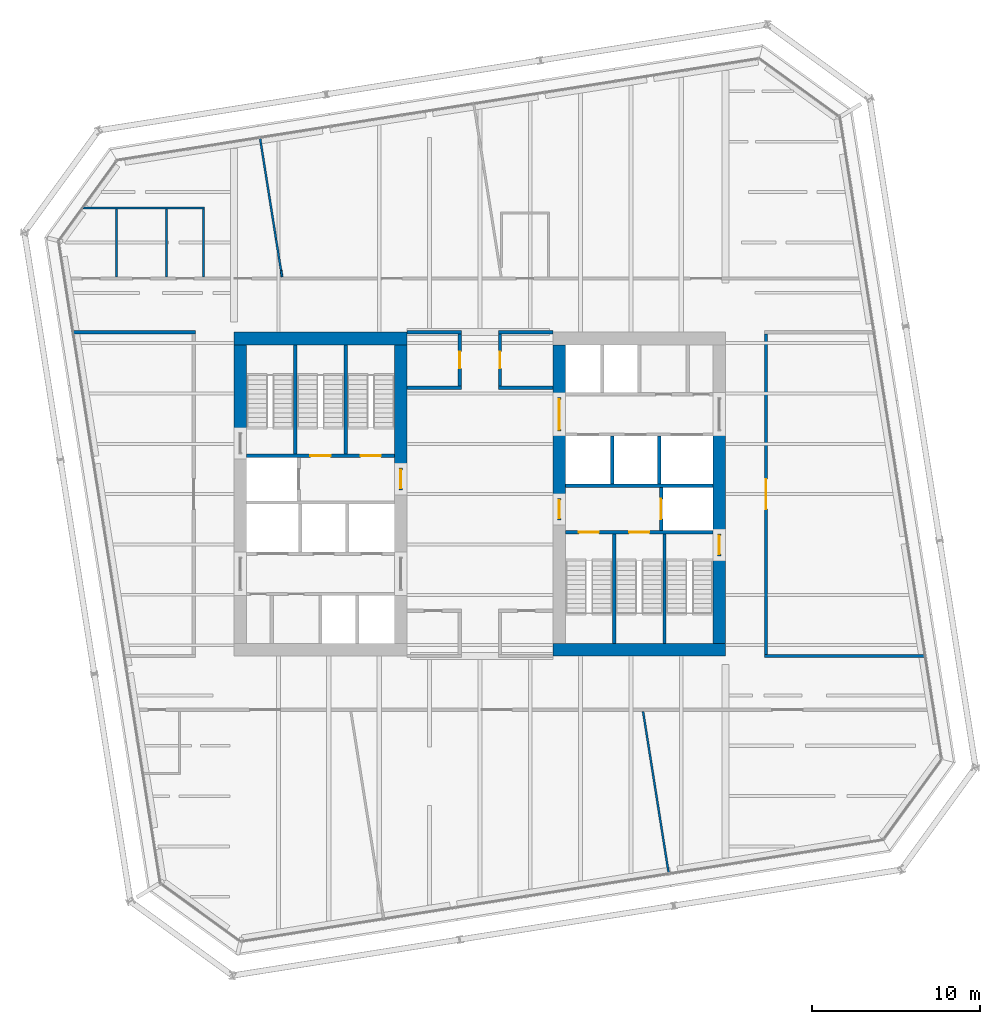
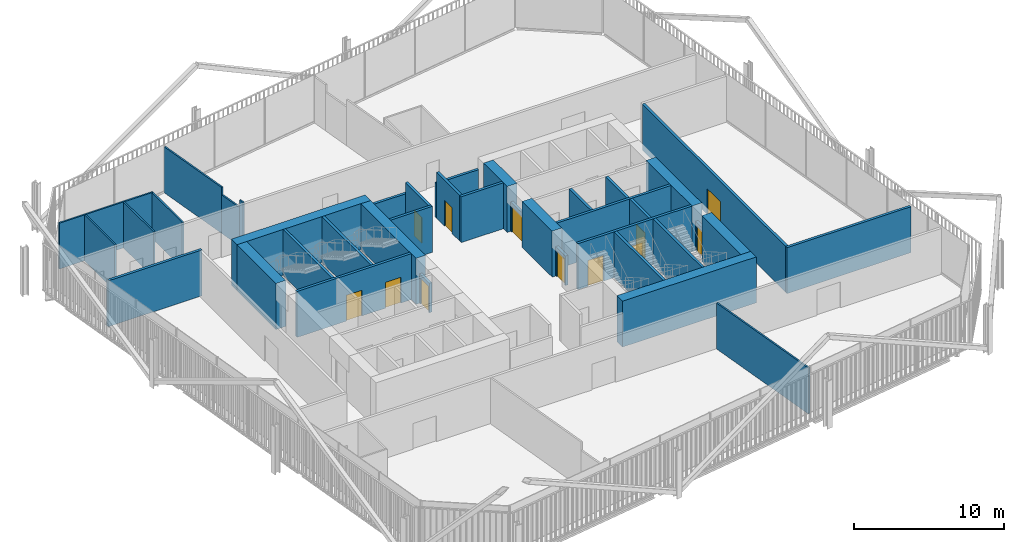
# One storey, part 16 of 19: 39 walls, 12 doors, 12 openings.
"""IFC4 building model written with IfcOpenShell, lengths in metres."""

from ifc_helpers import new_model, si_unit, direction, frame, frame_2d, origin, place, context, subcontext, project, spatial, rectangle, extrude, material, layer, layer_set, type_object, element, fill, save


model = new_model("IFC4")

# Units and contexts
model_context = context("Model", 3, precision=1e-05, world=origin(), true_north=direction((0.0, 1.0)))
body_context = subcontext(model_context, "Body", "Model", "MODEL_VIEW")
ifc_project = project(units=[si_unit("LENGTHUNIT", "METRE"), si_unit("AREAUNIT", "SQUARE_METRE"), si_unit("VOLUMEUNIT", "CUBIC_METRE"), si_unit("PLANEANGLEUNIT", "RADIAN"), si_unit("MASSUNIT", "GRAM", prefix="KILO")], contexts=[model_context])

# Site, building, storey
site_placement = place(None, origin())
site = spatial("IfcSite", under=ifc_project, at=site_placement, CompositionType="ELEMENT")
building_placement = place(site_placement, origin())
building = spatial("IfcBuilding", under=site, at=building_placement, Name="Millrace Tower", CompositionType="ELEMENT")
storey_placement = place(building_placement, frame((0.0, 0.0, 129.5)))
storey = spatial("IfcBuildingStorey", under=building, at=storey_placement, Name="L28", CompositionType="ELEMENT", Elevation=129.5)

# Walls
ifc_material_1 = material(Name="Concrete C70", Category="concrete")
ifc_layer_1 = layer(ifc_material_1, 0.75)
ifc_layer_set_1 = layer_set([ifc_layer_1], Name="Concrete C70")
wall_type_1 = type_object("IfcWallType", Name="Core wall 750 Concrete C70", PredefinedType="SHEAR", material=ifc_layer_set_1)
wall_1_placement = place(storey_placement, frame((-14.64990234375, 9.27490234375, 0.0), z_axis=(0.0, 0.0, 1.0), x_axis=(1.0, 0.0, 0.0)))
element("IfcWall", 1, at=wall_1_placement, inside=storey, type_object=wall_type_1, Name="Core wall W L28", PredefinedType="SHEAR", context=body_context, shape_type="SweptSolid", body=[
    extrude(rectangle(XDim=10.2998046875, YDim=0.75, at=frame_2d((5.14990234375, 0.0))), origin(), (0.0, 0.0, 1.0), 3.739990234375),
])
wall_2_placement = place(storey_placement, frame((-14.27490234375, 3.679931640625, 0.0), z_axis=(0.0, 0.0, 1.0), x_axis=(0.0, 1.0, 0.0)))
element("IfcWall", 2, at=wall_2_placement, inside=storey, type_object=wall_type_1, Name="Core wall W L28", PredefinedType="SHEAR", context=body_context, shape_type="SweptSolid", body=[
    extrude(rectangle(XDim=5.219970703125, YDim=0.75, at=frame_2d((2.60986328125, 0.0))), origin(), (0.0, 0.0, 1.0), 3.739990234375),
])
wall_3_placement = place(storey_placement, frame((-4.72509765625, 1.550048828125, 0.0), z_axis=(0.0, 0.0, 1.0), x_axis=(0.0, 1.0, 0.0)))
element("IfcWall", 3, at=wall_3_placement, inside=storey, type_object=wall_type_1, Name="Core wall W L28", PredefinedType="SHEAR", context=body_context, shape_type="SweptSolid", body=[
    extrude(rectangle(XDim=7.349853515625, YDim=0.75, at=frame_2d((3.6748046875, 0.0))), origin(), (0.0, 0.0, 1.0), 3.739990234375),
])
wall_4_placement = place(storey_placement, frame((14.64990234375, -9.27490234375, 0.0), z_axis=(0.0, 0.0, 1.0), x_axis=(-1.0, 0.0, 0.0)))
element("IfcWall", 4, at=wall_4_placement, inside=storey, type_object=wall_type_1, Name="Core wall E L28", PredefinedType="SHEAR", context=body_context, shape_type="SweptSolid", body=[
    extrude(rectangle(XDim=10.2998046875, YDim=0.75, at=frame_2d((5.14990234375, 0.0))), origin(), (0.0, 0.0, 1.0), 3.739990234375),
])
wall_5_placement = place(storey_placement, frame((14.27490234375, 3.75, 0.0), z_axis=(0.0, 0.0, 1.0), x_axis=(0.0, -1.0, 0.0)))
element("IfcWall", 5, at=wall_5_placement, inside=storey, type_object=wall_type_1, Name="Core wall E L28", PredefinedType="SHEAR", context=body_context, shape_type="SweptSolid", body=[
    extrude(rectangle(XDim=6.1298828125, YDim=0.75, at=frame_2d((3.06494140625, 0.0))), origin(), (0.0, 0.0, 1.0), 3.739990234375),
])
wall_6_placement = place(storey_placement, frame((14.27490234375, -3.679931640625, 0.0), z_axis=(0.0, 0.0, 1.0), x_axis=(0.0, -1.0, 0.0)))
element("IfcWall", 6, at=wall_6_placement, inside=storey, type_object=wall_type_1, Name="Core wall E L28", PredefinedType="SHEAR", context=body_context, shape_type="SweptSolid", body=[
    extrude(rectangle(XDim=5.219970703125, YDim=0.75, at=frame_2d((2.60986328125, 0.0))), origin(), (0.0, 0.0, 1.0), 3.739990234375),
])
wall_7_placement = place(storey_placement, frame((4.72509765625, 8.89990234375, 0.0), z_axis=(0.0, 0.0, 1.0), x_axis=(0.0, -1.0, 0.0)))
element("IfcWall", 7, at=wall_7_placement, inside=storey, type_object=wall_type_1, Name="Core wall E L28", PredefinedType="SHEAR", context=body_context, shape_type="SweptSolid", body=[
    extrude(rectangle(XDim=3.14990234375, YDim=0.75, at=frame_2d((1.574951171875, 0.0))), origin(), (0.0, 0.0, 1.0), 3.739990234375),
])
wall_8_placement = place(storey_placement, frame((4.72509765625, 3.75, 0.0), z_axis=(0.0, 0.0, 1.0), x_axis=(0.0, -1.0, 0.0)))
element("IfcWall", 8, at=wall_8_placement, inside=storey, type_object=wall_type_1, Name="Core wall E L28", PredefinedType="SHEAR", context=body_context, shape_type="SweptSolid", body=[
    extrude(rectangle(XDim=4.0, YDim=0.75, at=frame_2d((2.0, 0.0))), origin(), (0.0, 0.0, 1.0), 3.739990234375),
])
ifc_material_2 = material(Name="Masonry partition, fire-rated", Category="masonry")
ifc_layer_2 = layer(ifc_material_2, 0.199951171875)
ifc_layer_set_2 = layer_set([ifc_layer_2], Name="Masonry partition, fire-rated")
wall_type_2 = type_object("IfcWallType", Name="Corridor wall 200", PredefinedType="PARTITIONING", material=ifc_layer_set_2)
wall_9_placement = place(storey_placement, frame((16.949951171875, -9.64990234375, 0.0), z_axis=(0.0, 0.0, 1.0), x_axis=(1.0, 0.0, 0.0)))
element("IfcWall", 9, at=wall_9_placement, inside=storey, type_object=wall_type_2, Name="Corridor wall L28", PredefinedType="PARTITIONING", context=body_context, shape_type="SweptSolid", body=[
    extrude(rectangle(XDim=9.54638671875, YDim=0.199951171875, at=frame_2d((4.773193359375, 0.0))), origin(), (0.0, 0.0, 1.0), 3.739990234375),
])
for number, where, z_axis, x_axis, name in (
    (10, (-4.35009765625, 6.35009765625, 0.0), (0.0, 0.0, 1.0), (1.0, 0.0, 0.0), "Corridor wall L28"),
    (11, (1.10009765625, 6.35009765625, 0.0), (0.0, 0.0, 1.0), (1.0, 0.0, 0.0), "Corridor wall L28"),
):
    element("IfcWall", number, at=place(storey_placement, frame(where, z_axis=z_axis, x_axis=x_axis)), inside=storey, type_object=wall_type_2, Name=name, PredefinedType="PARTITIONING", context=body_context, shape_type="SweptSolid", body=[
        extrude(rectangle(XDim=3.25, YDim=0.199951171875, at=frame_2d((1.625, 0.0))), origin(), (0.0, 0.0, 1.0), 3.739990234375),
    ])
wall_10_placement = place(storey_placement, frame((-24.20703125, 9.64990234375, 0.0), z_axis=(0.0, 0.0, 1.0), x_axis=(1.0, 0.0, 0.0)))
element("IfcWall", 12, at=wall_10_placement, inside=storey, type_object=wall_type_2, Name="Corridor wall L28", PredefinedType="PARTITIONING", context=body_context, shape_type="SweptSolid", body=[
    extrude(rectangle(XDim=7.257080078125, YDim=0.199951171875, at=frame_2d((3.62841796875, 0.0))), origin(), (0.0, 0.0, 1.0), 3.739990234375),
])
for number, where, z_axis, x_axis, name in (
    (13, (-4.35009765625, 9.64990234375, 0.0), (0.0, 0.0, 1.0), (1.0, 0.0, 0.0), "Corridor wall L28"),
    (14, (1.10009765625, 9.64990234375, 0.0), (0.0, 0.0, 1.0), (1.0, 0.0, 0.0), "Corridor wall L28"),
):
    element("IfcWall", number, at=place(storey_placement, frame(where, z_axis=z_axis, x_axis=x_axis)), inside=storey, type_object=wall_type_2, Name=name, PredefinedType="PARTITIONING", context=body_context, shape_type="SweptSolid", body=[
        extrude(rectangle(XDim=3.25, YDim=0.199951171875, at=frame_2d((1.625, 0.0))), origin(), (0.0, 0.0, 1.0), 2.81298828125),
    ])

# Wall, opening, door
wall_11_placement = place(storey_placement, frame((17.050048828125, -9.550048828125, 0.0), z_axis=(0.0, 0.0, 1.0), x_axis=(0.0, 1.0, 0.0)))
wall_11 = element("IfcWall", 15, at=wall_11_placement, inside=storey, type_object=wall_type_2, Name="Corridor wall L28", PredefinedType="PARTITIONING", context=body_context, shape_type="SweptSolid", body=[
    extrude(rectangle(XDim=19.10009765625, YDim=0.199951171875, at=frame_2d((9.550048828125, 0.0))), origin(), (0.0, 0.0, 1.0), 3.739990234375),
])
opening_1_placement = place(wall_11_placement, frame((8.64990234375, 0.0, 0.0)))
opening_1 = element("IfcOpeningElement", 16, at=opening_1_placement, cuts=wall_11, Name="Opening 28-P012", PredefinedType="OPENING", context=body_context, shape_type="SweptSolid", body=[
    extrude(rectangle(XDim=1.800048828125, YDim=2.10009765625, at=frame_2d((0.89990234375, 1.050048828125))), frame((0.0, 0.10986328125, 0.0), z_axis=(0.0, -1.0, 0.0), x_axis=(1.0, 0.0, 0.0)), (0.0, 0.0, 1.0), 0.219970703125),
])
ifc_material_3 = material(Name="Steel door set, fire-rated", Category="steel")
door_type_1 = type_object("IfcDoorType", Name="Corridor door 1800 x 2100", OperationType="DOUBLE_DOOR_SINGLE_SWING", PredefinedType="DOOR", material=ifc_material_3)
door_1_placement = place(opening_1_placement, origin())
door_1 = element("IfcDoor", 17, at=door_1_placement, inside=storey, type_object=door_type_1, Name="Door 28-P012", OperationType="DOUBLE_DOOR_SINGLE_SWING", OverallHeight=2.10009765625, OverallWidth=1.800048828125, PredefinedType="DOOR", context=body_context, shape_type="SweptSolid", body=[
    extrude(rectangle(XDim=1.800048828125, YDim=2.10009765625, at=frame_2d((0.89990234375, 1.050048828125))), frame((0.0, 0.02490234375, 0.0), z_axis=(0.0, -1.0, 0.0), x_axis=(1.0, 0.0, 0.0)), (0.0, 0.0, 1.0), 0.050048828125),
])
fill(opening_1, door_1)

wall_12_placement = place(storey_placement, frame((1.199951171875, 6.449951171875, 0.0), z_axis=(0.0, 0.0, 1.0), x_axis=(0.0, 1.0, 0.0)))
wall_12 = element("IfcWall", 18, at=wall_12_placement, inside=storey, type_object=wall_type_2, Name="Corridor wall L28", PredefinedType="PARTITIONING", context=body_context, shape_type="SweptSolid", body=[
    extrude(rectangle(XDim=3.10009765625, YDim=0.199951171875, at=frame_2d((1.550048828125, 0.0))), origin(), (0.0, 0.0, 1.0), 3.739990234375),
])
opening_2_placement = place(wall_12_placement, frame((1.050048828125, 0.0, 0.0)))
opening_2 = element("IfcOpeningElement", 19, at=opening_2_placement, cuts=wall_12, Name="Opening 28-P002", PredefinedType="OPENING", context=body_context, shape_type="SweptSolid", body=[
    extrude(rectangle(XDim=1.0, YDim=2.10009765625, at=frame_2d((0.5, 1.050048828125))), frame((0.0, 0.10986328125, 0.0), z_axis=(0.0, -1.0, 0.0), x_axis=(1.0, 0.0, 0.0)), (0.0, 0.0, 1.0), 0.219970703125),
])
ifc_material_4 = material(Name="Steel door set, fire-rated", Category="steel")
door_type_2 = type_object("IfcDoorType", Name="Corridor door 1000 x 2100", OperationType="SINGLE_SWING_LEFT", PredefinedType="DOOR", material=ifc_material_4)
door_2_placement = place(opening_2_placement, frame((1.0, 0.0, 0.0), z_axis=(0.0, 0.0, 1.0), x_axis=(-1.0, 0.0, 0.0)))
door_2 = element("IfcDoor", 20, at=door_2_placement, inside=storey, type_object=door_type_2, Name="Door 28-P002", OperationType="SINGLE_SWING_LEFT", OverallHeight=2.10009765625, OverallWidth=1.0, PredefinedType="DOOR", context=body_context, shape_type="SweptSolid", body=[
    extrude(rectangle(XDim=1.0, YDim=2.10009765625, at=frame_2d((0.5, 1.050048828125))), frame((0.0, 0.02490234375, 0.0), z_axis=(0.0, -1.0, 0.0), x_axis=(1.0, 0.0, 0.0)), (0.0, 0.0, 1.0), 0.050048828125),
])
fill(opening_2, door_2)

wall_13_placement = place(storey_placement, frame((-1.199951171875, 6.449951171875, 0.0), z_axis=(0.0, 0.0, 1.0), x_axis=(0.0, 1.0, 0.0)))
wall_13 = element("IfcWall", 21, at=wall_13_placement, inside=storey, type_object=wall_type_2, Name="Corridor wall L28", PredefinedType="PARTITIONING", context=body_context, shape_type="SweptSolid", body=[
    extrude(rectangle(XDim=3.10009765625, YDim=0.199951171875, at=frame_2d((1.550048828125, 0.0))), origin(), (0.0, 0.0, 1.0), 3.739990234375),
])
opening_3_placement = place(wall_13_placement, frame((1.050048828125, 0.0, 0.0)))
opening_3 = element("IfcOpeningElement", 22, at=opening_3_placement, cuts=wall_13, Name="Opening 28-P001", PredefinedType="OPENING", context=body_context, shape_type="SweptSolid", body=[
    extrude(rectangle(XDim=1.0, YDim=2.10009765625, at=frame_2d((0.5, 1.050048828125))), frame((0.0, 0.10986328125, 0.0), z_axis=(0.0, -1.0, 0.0), x_axis=(1.0, 0.0, 0.0)), (0.0, 0.0, 1.0), 0.219970703125),
])
door_3_placement = place(opening_3_placement, origin())
door_3 = element("IfcDoor", 23, at=door_3_placement, inside=storey, type_object=door_type_2, Name="Door 28-P001", OperationType="SINGLE_SWING_RIGHT", OverallHeight=2.10009765625, OverallWidth=1.0, PredefinedType="DOOR", context=body_context, shape_type="SweptSolid", body=[
    extrude(rectangle(XDim=1.0, YDim=2.10009765625, at=frame_2d((0.5, 1.050048828125))), frame((0.0, 0.02490234375, 0.0), z_axis=(0.0, -1.0, 0.0), x_axis=(1.0, 0.0, 0.0)), (0.0, 0.0, 1.0), 0.050048828125),
])
fill(opening_3, door_3)

# Wall
ifc_material_5 = material(Name="Masonry partition, fire-rated", Category="masonry")
ifc_layer_3 = layer(ifc_material_5, 0.199951171875)
ifc_layer_set_3 = layer_set([ifc_layer_3], Name="Masonry partition, fire-rated")
wall_type_3 = type_object("IfcWallType", Name="Lift shaft wall 200", PredefinedType="PARTITIONING", material=ifc_layer_set_3)
wall_14_placement = place(storey_placement, frame((13.89990234375, 0.5, 0.0), z_axis=(0.0, 0.0, 1.0), x_axis=(-1.0, 0.0, 0.0)))
element("IfcWall", 24, at=wall_14_placement, inside=storey, type_object=wall_type_3, Name="Lift shaft wall E L28", PredefinedType="PARTITIONING", context=body_context, shape_type="SweptSolid", body=[
    extrude(rectangle(XDim=8.7998046875, YDim=0.199951171875, at=frame_2d((4.39990234375, 0.0))), origin(), (0.0, 0.0, 1.0), 3.739990234375),
])

# Wall, opening, door
wall_15_placement = place(storey_placement, frame((10.800048828125, 0.39990234375, 0.0), z_axis=(0.0, 0.0, 1.0), x_axis=(0.0, -1.0, 0.0)))
wall_15 = element("IfcWall", 25, at=wall_15_placement, inside=storey, type_object=wall_type_3, Name="Lift shaft wall E L28", PredefinedType="PARTITIONING", context=body_context, shape_type="SweptSolid", body=[
    extrude(rectangle(XDim=2.579833984375, YDim=0.199951171875, at=frame_2d((1.2900390625, 0.0))), origin(), (0.0, 0.0, 1.0), 3.739990234375),
])
opening_4_placement = place(wall_15_placement, frame((0.68994140625, 0.0, 0.0)))
opening_4 = element("IfcOpeningElement", 26, at=opening_4_placement, cuts=wall_15, Name="Opening 28-LD16", PredefinedType="OPENING", context=body_context, shape_type="SweptSolid", body=[
    extrude(rectangle(XDim=1.199951171875, YDim=2.10009765625, at=frame_2d((0.60009765625, 1.050048828125))), frame((0.0, 0.10986328125, 0.0), z_axis=(0.0, -1.0, 0.0), x_axis=(1.0, 0.0, 0.0)), (0.0, 0.0, 1.0), 0.219970703125),
])
ifc_material_6 = material(Name="Stainless steel, fire-rated", Category="steel")
door_type_3 = type_object("IfcDoorType", Name="Lift landing door 1200 x 2100", OperationType="DOUBLE_DOOR_SLIDING", PredefinedType="DOOR", material=ifc_material_6)
door_4_placement = place(opening_4_placement, origin())
door_4 = element("IfcDoor", 27, at=door_4_placement, inside=storey, type_object=door_type_3, Name="Lift landing door LF16 L28", OperationType="DOUBLE_DOOR_SLIDING", OverallHeight=2.10009765625, OverallWidth=1.199951171875, PredefinedType="DOOR", context=body_context, shape_type="SweptSolid", body=[
    extrude(rectangle(XDim=1.199951171875, YDim=2.10009765625, at=frame_2d((0.60009765625, 1.050048828125))), frame((0.0, 0.02490234375, 0.0), z_axis=(0.0, -1.0, 0.0), x_axis=(1.0, 0.0, 0.0)), (0.0, 0.0, 1.0), 0.050048828125),
])
fill(opening_4, door_4)

# Walls
for number, where, z_axis, x_axis, name in (
    (28, (10.699951171875, 3.449951171875, 0.0), (0.0, 0.0, 1.0), (0.0, -1.0, 0.0), "Lift shaft wall E L28"),
    (29, (7.89990234375, 3.449951171875, 0.0), (0.0, 0.0, 1.0), (0.0, -1.0, 0.0), "Lift shaft wall E L28"),
):
    element("IfcWall", number, at=place(storey_placement, frame(where, z_axis=z_axis, x_axis=x_axis)), inside=storey, type_object=wall_type_3, Name=name, PredefinedType="PARTITIONING", context=body_context, shape_type="SweptSolid", body=[
        extrude(rectangle(XDim=2.849853515625, YDim=0.199951171875, at=frame_2d((1.4248046875, 0.0))), origin(), (0.0, 0.0, 1.0), 3.739990234375),
    ])

# Wall, opening, door
ifc_material_7 = material(Name="Masonry partition, fire-rated", Category="masonry")
ifc_layer_4 = layer(ifc_material_7, 0.199951171875)
ifc_layer_set_4 = layer_set([ifc_layer_4], Name="Masonry partition, fire-rated")
wall_type_4 = type_object("IfcWallType", Name="Lobby wall 200", PredefinedType="PARTITIONING", material=ifc_layer_set_4)
wall_16_placement = place(storey_placement, frame((-4.72509765625, 0.25, 0.0), z_axis=(0.0, 0.0, 1.0), x_axis=(0.0, 1.0, 0.0)))
wall_16 = element("IfcWall", 30, at=wall_16_placement, inside=storey, type_object=wall_type_4, Name="Lobby wall W L28", PredefinedType="PARTITIONING", context=body_context, shape_type="SweptSolid", body=[
    extrude(rectangle(XDim=1.300048828125, YDim=0.199951171875, at=frame_2d((0.64990234375, 0.0))), origin(), (0.0, 0.0, 1.0), 2.39990234375),
])
opening_5_placement = place(wall_16_placement, frame((0.10009765625, 0.0, 0.0)))
opening_5 = element("IfcOpeningElement", 31, at=opening_5_placement, cuts=wall_16, Name="Opening 28-C004", PredefinedType="OPENING", context=body_context, shape_type="SweptSolid", body=[
    extrude(rectangle(XDim=1.10009765625, YDim=2.10009765625, at=frame_2d((0.550048828125, 1.050048828125))), frame((0.0, 0.10986328125, 0.0), z_axis=(0.0, -1.0, 0.0), x_axis=(1.0, 0.0, 0.0)), (0.0, 0.0, 1.0), 0.219970703125),
])
ifc_material_8 = material(Name="Steel door, fire-rated", Category="steel")
door_type_4 = type_object("IfcDoorType", Name="Lobby door 1100 x 2100", OperationType="SINGLE_SWING_LEFT", PredefinedType="DOOR", material=ifc_material_8)
door_5_placement = place(opening_5_placement, origin())
door_5 = element("IfcDoor", 32, at=door_5_placement, inside=storey, type_object=door_type_4, Name="Lobby door 28-C004", OperationType="SINGLE_SWING_LEFT", OverallHeight=2.10009765625, OverallWidth=1.10009765625, PredefinedType="DOOR", context=body_context, shape_type="SweptSolid", body=[
    extrude(rectangle(XDim=1.10009765625, YDim=2.10009765625, at=frame_2d((0.550048828125, 1.050048828125))), frame((0.0, 0.02490234375, 0.0), z_axis=(0.0, -1.0, 0.0), x_axis=(1.0, 0.0, 0.0)), (0.0, 0.0, 1.0), 0.050048828125),
])
fill(opening_5, door_5)

wall_17_placement = place(storey_placement, frame((4.72509765625, 5.75, 0.0), z_axis=(0.0, 0.0, 1.0), x_axis=(0.0, -1.0, 0.0)))
wall_17 = element("IfcWall", 33, at=wall_17_placement, inside=storey, type_object=wall_type_4, Name="Lobby wall E L28", PredefinedType="PARTITIONING", context=body_context, shape_type="SweptSolid", body=[
    extrude(rectangle(XDim=2.0, YDim=0.199951171875, at=frame_2d((1.0, 0.0))), origin(), (0.0, 0.0, 1.0), 2.39990234375),
])
opening_6_placement = place(wall_17_placement, frame((0.10009765625, 0.0, 0.0)))
opening_6 = element("IfcOpeningElement", 34, at=opening_6_placement, cuts=wall_17, Name="Opening 28-C011", PredefinedType="OPENING", context=body_context, shape_type="SweptSolid", body=[
    extrude(rectangle(XDim=1.800048828125, YDim=2.10009765625, at=frame_2d((0.89990234375, 1.050048828125))), frame((0.0, 0.10986328125, 0.0), z_axis=(0.0, -1.0, 0.0), x_axis=(1.0, 0.0, 0.0)), (0.0, 0.0, 1.0), 0.219970703125),
])
ifc_material_9 = material(Name="Steel door, fire-rated", Category="steel")
door_type_5 = type_object("IfcDoorType", Name="Lobby door 1800 x 2100", OperationType="DOUBLE_DOOR_SINGLE_SWING", PredefinedType="DOOR", material=ifc_material_9)
door_6_placement = place(opening_6_placement, origin())
door_6 = element("IfcDoor", 35, at=door_6_placement, inside=storey, type_object=door_type_5, Name="Lobby door 28-C011", OperationType="DOUBLE_DOOR_SINGLE_SWING", OverallHeight=2.10009765625, OverallWidth=1.800048828125, PredefinedType="DOOR", context=body_context, shape_type="SweptSolid", body=[
    extrude(rectangle(XDim=1.800048828125, YDim=2.10009765625, at=frame_2d((0.89990234375, 1.050048828125))), frame((0.0, 0.02490234375, 0.0), z_axis=(0.0, -1.0, 0.0), x_axis=(1.0, 0.0, 0.0)), (0.0, 0.0, 1.0), 0.050048828125),
])
fill(opening_6, door_6)

wall_18_placement = place(storey_placement, frame((4.72509765625, -0.25, 0.0), z_axis=(0.0, 0.0, 1.0), x_axis=(0.0, -1.0, 0.0)))
wall_18 = element("IfcWall", 36, at=wall_18_placement, inside=storey, type_object=wall_type_4, Name="Lobby wall E L28", PredefinedType="PARTITIONING", context=body_context, shape_type="SweptSolid", body=[
    extrude(rectangle(XDim=1.300048828125, YDim=0.199951171875, at=frame_2d((0.64990234375, 0.0))), origin(), (0.0, 0.0, 1.0), 2.39990234375),
])
opening_7_placement = place(wall_18_placement, frame((0.10009765625, 0.0, 0.0)))
opening_7 = element("IfcOpeningElement", 37, at=opening_7_placement, cuts=wall_18, Name="Opening 28-C012", PredefinedType="OPENING", context=body_context, shape_type="SweptSolid", body=[
    extrude(rectangle(XDim=1.10009765625, YDim=2.10009765625, at=frame_2d((0.550048828125, 1.050048828125))), frame((0.0, 0.10986328125, 0.0), z_axis=(0.0, -1.0, 0.0), x_axis=(1.0, 0.0, 0.0)), (0.0, 0.0, 1.0), 0.219970703125),
])
door_7_placement = place(opening_7_placement, origin())
door_7 = element("IfcDoor", 38, at=door_7_placement, inside=storey, type_object=door_type_4, Name="Lobby door 28-C012", OperationType="SINGLE_SWING_RIGHT", OverallHeight=2.10009765625, OverallWidth=1.10009765625, PredefinedType="DOOR", context=body_context, shape_type="SweptSolid", body=[
    extrude(rectangle(XDim=1.10009765625, YDim=2.10009765625, at=frame_2d((0.550048828125, 1.050048828125))), frame((0.0, 0.02490234375, 0.0), z_axis=(0.0, -1.0, 0.0), x_axis=(1.0, 0.0, 0.0)), (0.0, 0.0, 1.0), 0.050048828125),
])
fill(opening_7, door_7)

# Walls
ifc_material_10 = material(Name="Gypsum board partition")
ifc_layer_5 = layer(ifc_material_10, 0.1201171875)
ifc_layer_set_5 = layer_set([ifc_layer_5], Name="Gypsum board partition")
wall_type_5 = type_object("IfcWallType", Name="Partition wall 120", PredefinedType="PARTITIONING", material=ifc_layer_set_5)
wall_19_placement = place(storey_placement, frame((-13.098876953125, 21.20849609375, 0.0), z_axis=(0.0, 0.0, 1.0), x_axis=(0.156435215838, -0.98768822168, 0.0)))
element("IfcWall", 39, at=wall_19_placement, inside=storey, type_object=wall_type_5, Name="Partition wall L28", PredefinedType="PARTITIONING", context=body_context, shape_type="SweptSolid", body=[
    extrude(rectangle(XDim=6.073974609375, YDim=0.1201171875, at=frame_2d((3.037109375, 0.0))), origin(), (0.0, 0.0, 1.0), 3.739990234375),
])
wall_20_placement = place(storey_placement, frame((-12.148681640625, 15.209228515625, 0.0), z_axis=(0.0, 0.0, 1.0), x_axis=(0.15645727636, -0.987684727367, 0.0)))
element("IfcWall", 40, at=wall_20_placement, inside=storey, type_object=wall_type_5, Name="Partition wall L28", PredefinedType="PARTITIONING", context=body_context, shape_type="SweptSolid", body=[
    extrude(rectangle(XDim=1.900634765625, YDim=0.1201171875, at=frame_2d((0.9501953125, 0.0))), origin(), (0.0, 0.0, 1.0), 3.137939453125),
])
wall_21_placement = place(storey_placement, frame((-11.851318359375, 13.33203125, 0.0), z_axis=(0.0, 0.0, 1.0), x_axis=(0.156640922974, -0.987655618751, 0.0)))
element("IfcWall", 41, at=wall_21_placement, inside=storey, type_object=wall_type_5, Name="Partition wall L28", PredefinedType="PARTITIONING", context=body_context, shape_type="SweptSolid", body=[
    extrude(rectangle(XDim=0.38818359375, YDim=0.1201171875, at=frame_2d((0.194091796875, 0.0))), origin(), (0.0, 0.0, 1.0), 3.739990234375),
])
wall_22_placement = place(storey_placement, frame((9.7255859375, -12.94873046875, 0.0), z_axis=(0.0, 0.0, 1.0), x_axis=(0.156481887186, -0.987680828498, 0.0)))
element("IfcWall", 42, at=wall_22_placement, inside=storey, type_object=wall_type_5, Name="Partition wall L28", PredefinedType="PARTITIONING", context=body_context, shape_type="SweptSolid", body=[
    extrude(rectangle(XDim=9.752685546875, YDim=0.1201171875, at=frame_2d((4.87646484375, 0.0))), origin(), (0.0, 0.0, 1.0), 3.739990234375),
])
wall_23_placement = place(storey_placement, frame((-23.6474609375, 17.050048828125, 0.0), z_axis=(0.0, 0.0, 1.0), x_axis=(1.0, 0.0, 0.0)))
element("IfcWall", 43, at=wall_23_placement, inside=storey, type_object=wall_type_5, Name="Partition wall L28", PredefinedType="PARTITIONING", context=body_context, shape_type="SweptSolid", body=[
    extrude(rectangle(XDim=7.244384765625, YDim=0.1201171875, at=frame_2d((3.6220703125, 0.0))), origin(), (0.0, 0.0, 1.0), 3.739990234375),
])
for number, where, z_axis, x_axis, name in (
    (44, (-16.462890625, 12.949951171875, 0.0), (0.0, 0.0, 1.0), (0.0, 1.0, 0.0), "Partition wall L28"),
    (45, (-18.6630859375, 12.949951171875, 0.0), (0.0, 0.0, 1.0), (0.0, 1.0, 0.0), "Partition wall L28"),
    (46, (-21.6630859375, 12.949951171875, 0.0), (0.0, 0.0, 1.0), (0.0, 1.0, 0.0), "Partition wall L28"),
):
    element("IfcWall", number, at=place(storey_placement, frame(where, z_axis=z_axis, x_axis=x_axis)), inside=storey, type_object=wall_type_5, Name=name, PredefinedType="PARTITIONING", context=body_context, shape_type="SweptSolid", body=[
        extrude(rectangle(XDim=4.0400390625, YDim=0.1201171875, at=frame_2d((2.02001953125, 0.0))), origin(), (0.0, 0.0, 1.0), 3.739990234375),
    ])

# Wall, openings, doors
ifc_material_11 = material(Name="Concrete C40", Category="concrete")
ifc_layer_6 = layer(ifc_material_11, 0.199951171875)
ifc_layer_set_6 = layer_set([ifc_layer_6], Name="Concrete C40")
wall_type_6 = type_object("IfcWallType", Name="Stair enclosure wall 200 Concrete C40", PredefinedType="SHEAR", material=ifc_layer_set_6)
wall_24_placement = place(storey_placement, frame((-13.89990234375, 2.280029296875, 0.0), z_axis=(0.0, 0.0, 1.0), x_axis=(1.0, 0.0, 0.0)))
wall_24 = element("IfcWall", 47, at=wall_24_placement, inside=storey, type_object=wall_type_6, Name="Stair enclosure wall W L28", PredefinedType="SHEAR", context=body_context, shape_type="SweptSolid", body=[
    extrude(rectangle(XDim=8.7998046875, YDim=0.199951171875, at=frame_2d((4.39990234375, 0.0))), origin(), (0.0, 0.0, 1.0), 3.739990234375),
])
opening_8_placement = place(wall_24_placement, frame((3.800048828125, 0.0, 0.0)))
opening_8 = element("IfcOpeningElement", 48, at=opening_8_placement, cuts=wall_24, Name="Opening 28-C007", PredefinedType="OPENING", context=body_context, shape_type="SweptSolid", body=[
    extrude(rectangle(XDim=1.199951171875, YDim=2.10009765625, at=frame_2d((0.60009765625, 1.050048828125))), frame((0.0, 0.10986328125, 0.0), z_axis=(0.0, -1.0, 0.0), x_axis=(1.0, 0.0, 0.0)), (0.0, 0.0, 1.0), 0.219970703125),
])
opening_9_placement = place(wall_24_placement, frame((6.800048828125, 0.0, 0.0)))
opening_9 = element("IfcOpeningElement", 49, at=opening_9_placement, cuts=wall_24, Name="Opening 28-C008", PredefinedType="OPENING", context=body_context, shape_type="SweptSolid", body=[
    extrude(rectangle(XDim=1.199951171875, YDim=2.10009765625, at=frame_2d((0.60009765625, 1.050048828125))), frame((0.0, 0.10986328125, 0.0), z_axis=(0.0, -1.0, 0.0), x_axis=(1.0, 0.0, 0.0)), (0.0, 0.0, 1.0), 0.219970703125),
])
ifc_material_12 = material(Name="Steel door, fire-rated", Category="steel")
door_type_6 = type_object("IfcDoorType", Name="Stair door 1200 x 2100", OperationType="SINGLE_SWING_LEFT", PredefinedType="DOOR", material=ifc_material_12)
door_8_placement = place(opening_8_placement, frame((1.199951171875, 0.0, 0.0), z_axis=(0.0, 0.0, 1.0), x_axis=(-1.0, 0.0, 0.0)))
door_8 = element("IfcDoor", 50, at=door_8_placement, inside=storey, type_object=door_type_6, Name="Stair door 28-C007", OperationType="SINGLE_SWING_RIGHT", OverallHeight=2.10009765625, OverallWidth=1.199951171875, PredefinedType="DOOR", context=body_context, shape_type="SweptSolid", body=[
    extrude(rectangle(XDim=1.199951171875, YDim=2.10009765625, at=frame_2d((0.60009765625, 1.050048828125))), frame((0.0, 0.02490234375, 0.0), z_axis=(0.0, -1.0, 0.0), x_axis=(1.0, 0.0, 0.0)), (0.0, 0.0, 1.0), 0.050048828125),
])
fill(opening_8, door_8)
door_9_placement = place(opening_9_placement, frame((1.199951171875, 0.0, 0.0), z_axis=(0.0, 0.0, 1.0), x_axis=(-1.0, 0.0, 0.0)))
door_9 = element("IfcDoor", 51, at=door_9_placement, inside=storey, type_object=door_type_6, Name="Stair door 28-C008", OperationType="SINGLE_SWING_LEFT", OverallHeight=2.10009765625, OverallWidth=1.199951171875, PredefinedType="DOOR", context=body_context, shape_type="SweptSolid", body=[
    extrude(rectangle(XDim=1.199951171875, YDim=2.10009765625, at=frame_2d((0.60009765625, 1.050048828125))), frame((0.0, 0.02490234375, 0.0), z_axis=(0.0, -1.0, 0.0), x_axis=(1.0, 0.0, 0.0)), (0.0, 0.0, 1.0), 0.050048828125),
])
fill(opening_9, door_9)

# Walls
for number, where, z_axis, x_axis, name in (
    (52, (-11.0, 2.3798828125, 0.0), (0.0, 0.0, 1.0), (0.0, 1.0, 0.0), "Stair enclosure wall W L28"),
    (53, (-8.0, 2.3798828125, 0.0), (0.0, 0.0, 1.0), (0.0, 1.0, 0.0), "Stair enclosure wall W L28"),
):
    element("IfcWall", number, at=place(storey_placement, frame(where, z_axis=z_axis, x_axis=x_axis)), inside=storey, type_object=wall_type_6, Name=name, PredefinedType="SHEAR", context=body_context, shape_type="SweptSolid", body=[
        extrude(rectangle(XDim=6.52001953125, YDim=0.199951171875, at=frame_2d((3.260009765625, 0.0))), origin(), (0.0, 0.0, 1.0), 3.739990234375),
    ])

# Wall, opening, door
wall_25_placement = place(storey_placement, frame((14.27490234375, -2.3798828125, 0.0), z_axis=(0.0, 0.0, 1.0), x_axis=(0.0, -1.0, 0.0)))
wall_25 = element("IfcWall", 54, at=wall_25_placement, inside=storey, type_object=wall_type_6, Name="Stair enclosure wall E L28", PredefinedType="SHEAR", context=body_context, shape_type="SweptSolid", body=[
    extrude(rectangle(XDim=1.300048828125, YDim=0.199951171875, at=frame_2d((0.64990234375, 0.0))), origin(), (0.0, 0.0, 1.0), 2.39990234375),
])
opening_10_placement = place(wall_25_placement, frame((0.10009765625, 0.0, 0.0)))
opening_10 = element("IfcOpeningElement", 55, at=opening_10_placement, cuts=wall_25, Name="Opening 28-C010", PredefinedType="OPENING", context=body_context, shape_type="SweptSolid", body=[
    extrude(rectangle(XDim=1.10009765625, YDim=2.10009765625, at=frame_2d((0.550048828125, 1.050048828125))), frame((0.0, 0.10986328125, 0.0), z_axis=(0.0, -1.0, 0.0), x_axis=(1.0, 0.0, 0.0)), (0.0, 0.0, 1.0), 0.219970703125),
])
ifc_material_13 = material(Name="Steel door, fire-rated", Category="steel")
door_type_7 = type_object("IfcDoorType", Name="Stair door 1100 x 2100", OperationType="SINGLE_SWING_LEFT", PredefinedType="DOOR", material=ifc_material_13)
door_10_placement = place(opening_10_placement, origin())
door_10 = element("IfcDoor", 56, at=door_10_placement, inside=storey, type_object=door_type_7, Name="Stair door 28-C010", OperationType="SINGLE_SWING_LEFT", OverallHeight=2.10009765625, OverallWidth=1.10009765625, PredefinedType="DOOR", context=body_context, shape_type="SweptSolid", body=[
    extrude(rectangle(XDim=1.10009765625, YDim=2.10009765625, at=frame_2d((0.550048828125, 1.050048828125))), frame((0.0, 0.02490234375, 0.0), z_axis=(0.0, -1.0, 0.0), x_axis=(1.0, 0.0, 0.0)), (0.0, 0.0, 1.0), 0.050048828125),
])
fill(opening_10, door_10)

# Wall, openings, doors
wall_26_placement = place(storey_placement, frame((13.89990234375, -2.280029296875, 0.0), z_axis=(0.0, 0.0, 1.0), x_axis=(-1.0, 0.0, 0.0)))
wall_26 = element("IfcWall", 57, at=wall_26_placement, inside=storey, type_object=wall_type_6, Name="Stair enclosure wall E L28", PredefinedType="SHEAR", context=body_context, shape_type="SweptSolid", body=[
    extrude(rectangle(XDim=8.7998046875, YDim=0.199951171875, at=frame_2d((4.39990234375, 0.0))), origin(), (0.0, 0.0, 1.0), 3.739990234375),
])
opening_11_placement = place(wall_26_placement, frame((3.800048828125, 0.0, 0.0)))
opening_11 = element("IfcOpeningElement", 58, at=opening_11_placement, cuts=wall_26, Name="Opening 28-C015", PredefinedType="OPENING", context=body_context, shape_type="SweptSolid", body=[
    extrude(rectangle(XDim=1.199951171875, YDim=2.10009765625, at=frame_2d((0.60009765625, 1.050048828125))), frame((0.0, 0.10986328125, 0.0), z_axis=(0.0, -1.0, 0.0), x_axis=(1.0, 0.0, 0.0)), (0.0, 0.0, 1.0), 0.219970703125),
])
opening_12_placement = place(wall_26_placement, frame((6.800048828125, 0.0, 0.0)))
opening_12 = element("IfcOpeningElement", 59, at=opening_12_placement, cuts=wall_26, Name="Opening 28-C016", PredefinedType="OPENING", context=body_context, shape_type="SweptSolid", body=[
    extrude(rectangle(XDim=1.199951171875, YDim=2.10009765625, at=frame_2d((0.60009765625, 1.050048828125))), frame((0.0, 0.10986328125, 0.0), z_axis=(0.0, -1.0, 0.0), x_axis=(1.0, 0.0, 0.0)), (0.0, 0.0, 1.0), 0.219970703125),
])
door_11_placement = place(opening_11_placement, frame((1.199951171875, 0.0, 0.0), z_axis=(0.0, 0.0, 1.0), x_axis=(-1.0, 0.0, 0.0)))
door_11 = element("IfcDoor", 60, at=door_11_placement, inside=storey, type_object=door_type_6, Name="Stair door 28-C015", OperationType="SINGLE_SWING_RIGHT", OverallHeight=2.10009765625, OverallWidth=1.199951171875, PredefinedType="DOOR", context=body_context, shape_type="SweptSolid", body=[
    extrude(rectangle(XDim=1.199951171875, YDim=2.10009765625, at=frame_2d((0.60009765625, 1.050048828125))), frame((0.0, 0.02490234375, 0.0), z_axis=(0.0, -1.0, 0.0), x_axis=(1.0, 0.0, 0.0)), (0.0, 0.0, 1.0), 0.050048828125),
])
fill(opening_11, door_11)
door_12_placement = place(opening_12_placement, frame((1.199951171875, 0.0, 0.0), z_axis=(0.0, 0.0, 1.0), x_axis=(-1.0, 0.0, 0.0)))
door_12 = element("IfcDoor", 61, at=door_12_placement, inside=storey, type_object=door_type_6, Name="Stair door 28-C016", OperationType="SINGLE_SWING_LEFT", OverallHeight=2.10009765625, OverallWidth=1.199951171875, PredefinedType="DOOR", context=body_context, shape_type="SweptSolid", body=[
    extrude(rectangle(XDim=1.199951171875, YDim=2.10009765625, at=frame_2d((0.60009765625, 1.050048828125))), frame((0.0, 0.02490234375, 0.0), z_axis=(0.0, -1.0, 0.0), x_axis=(1.0, 0.0, 0.0)), (0.0, 0.0, 1.0), 0.050048828125),
])
fill(opening_12, door_12)

# Walls
for number, where, z_axis, x_axis, name in (
    (62, (11.0, -2.3798828125, 0.0), (0.0, 0.0, 1.0), (0.0, -1.0, 0.0), "Stair enclosure wall E L28"),
    (63, (8.0, -2.3798828125, 0.0), (0.0, 0.0, 1.0), (0.0, -1.0, 0.0), "Stair enclosure wall E L28"),
):
    element("IfcWall", number, at=place(storey_placement, frame(where, z_axis=z_axis, x_axis=x_axis)), inside=storey, type_object=wall_type_6, Name=name, PredefinedType="SHEAR", context=body_context, shape_type="SweptSolid", body=[
        extrude(rectangle(XDim=6.52001953125, YDim=0.199951171875, at=frame_2d((3.260009765625, 0.0))), origin(), (0.0, 0.0, 1.0), 3.739990234375),
    ])

save(model, "model.ifc")
